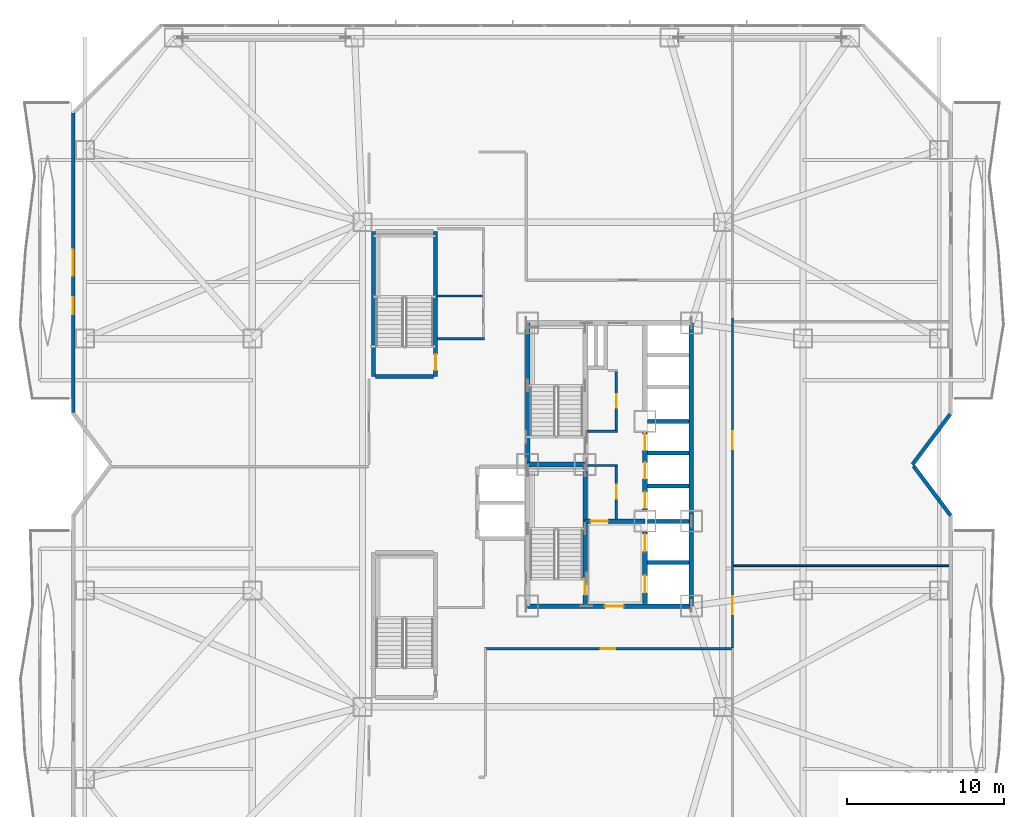
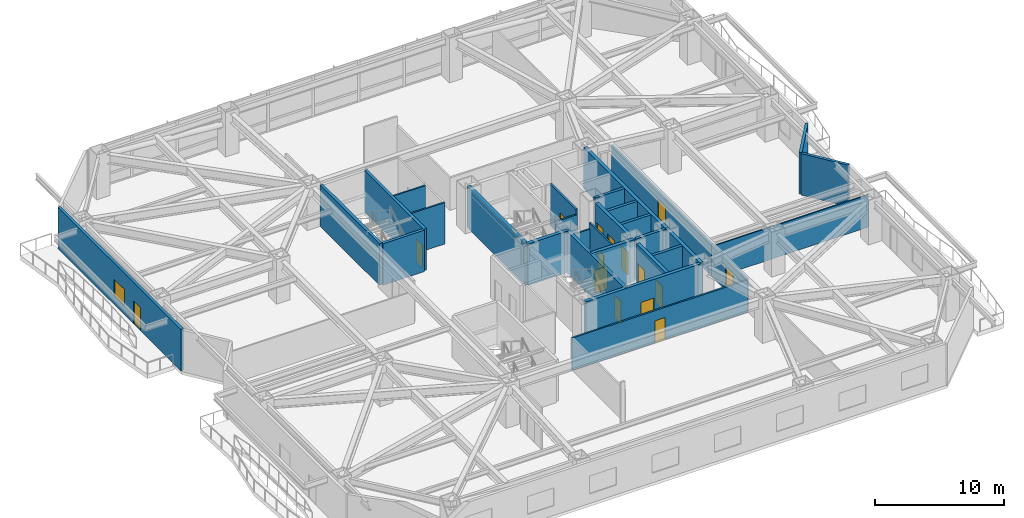
# One storey, part 17 of 25: 30 walls, 15 doors, 1 window, 16 openings.
"""IFC4 building model written with IfcOpenShell, lengths in metres."""

from ifc_helpers import new_model, si_unit, direction, frame, frame_2d, origin, place, context, subcontext, project, spatial, rectangle, extrude, material, layer, layer_set, type_object, element, fill, save


model = new_model("IFC4")

# Units and contexts
model_context = context("Model", 3, precision=1e-05, world=origin(), true_north=direction((0.0, 1.0)))
body_context = subcontext(model_context, "Body", "Model", "MODEL_VIEW")
ifc_project = project(units=[si_unit("LENGTHUNIT", "METRE"), si_unit("AREAUNIT", "SQUARE_METRE"), si_unit("VOLUMEUNIT", "CUBIC_METRE"), si_unit("PLANEANGLEUNIT", "RADIAN"), si_unit("MASSUNIT", "GRAM", prefix="KILO")], contexts=[model_context])

# Site, building, storey
site_placement = place(None, origin())
site = spatial("IfcSite", under=ifc_project, at=site_placement, CompositionType="ELEMENT")
building_placement = place(site_placement, origin())
building = spatial("IfcBuilding", under=site, at=building_placement, Name="Khamvora Tower", CompositionType="ELEMENT")
storey_placement = place(building_placement, frame((0.0, 0.0, 16.199951171875)))
storey = spatial("IfcBuildingStorey", under=building, at=storey_placement, Name="L03", CompositionType="ELEMENT", Elevation=16.199951171875)

# Wall
ifc_material_1 = material(Name="Concrete C50/60", Category="concrete")
ifc_layer_1 = layer(ifc_material_1, 0.300048828125)
ifc_layer_set_1 = layer_set([ifc_layer_1], Name="Concrete C50/60")
wall_type_1 = type_object("IfcWallType", Name="WAL-CORE-300", PredefinedType="SHEAR", material=ifc_layer_set_1)
wall_1_placement = place(storey_placement, frame((29.0, 28.0, 0.0), z_axis=(0.0, 0.0, 1.0), x_axis=(0.0, 1.0, 0.0)))
element("IfcWall", 1, at=wall_1_placement, inside=storey, type_object=wall_type_1, Name="L03 central core west north wall", PredefinedType="SHEAR", context=body_context, shape_type="SweptSolid", body=[
    extrude(rectangle(XDim=9.0, YDim=0.300048828125, at=frame_2d((4.5, 0.0))), origin(), (0.0, 0.0, 1.0), 3.920166015625),
])

# Wall, opening, door
wall_2_placement = place(storey_placement, frame((29.0, 19.0, 0.0), z_axis=(0.0, 0.0, 1.0), x_axis=(1.0, 0.0, 0.0)))
wall_2 = element("IfcWall", 2, at=wall_2_placement, inside=storey, type_object=wall_type_1, Name="L03 central core south wall", PredefinedType="SHEAR", context=body_context, shape_type="SweptSolid", body=[
    extrude(rectangle(XDim=10.39990234375, YDim=0.300048828125, at=frame_2d((5.199951171875, 0.0))), origin(), (0.0, 0.0, 1.0), 3.920166015625),
])
opening_1_placement = place(wall_2_placement, frame((4.89990234375, 0.0, 0.0)))
opening_1 = element("IfcOpeningElement", 3, at=opening_1_placement, cuts=wall_2, Name="Opening D-CR1", PredefinedType="OPENING", context=body_context, shape_type="SweptSolid", body=[
    extrude(rectangle(XDim=1.199951171875, YDim=2.14990234375, at=frame_2d((0.60009765625, 1.074951171875))), frame((0.0, 0.159912109375, 0.0), z_axis=(0.0, -1.0, 0.0), x_axis=(1.0, 0.0, 0.0)), (0.0, 0.0, 1.0), 0.320068359375),
])
ifc_material_2 = material(Name="Powder-Coated Steel and Hardwood Leaf", Category="steel")
door_type_1 = type_object("IfcDoorType", Name="DOR-CORR-1200", OperationType="NOTDEFINED", PredefinedType="DOOR", material=ifc_material_2)
door_1_placement = place(opening_1_placement, origin())
door_1 = element("IfcDoor", 4, at=door_1_placement, inside=storey, type_object=door_type_1, Name="L03 south core lobby to corridor fire door", OperationType="SINGLE_SWING_RIGHT", OverallHeight=2.14990234375, OverallWidth=1.199951171875, PredefinedType="DOOR", context=body_context, shape_type="SweptSolid", body=[
    extrude(rectangle(XDim=1.199951171875, YDim=2.14990234375, at=frame_2d((0.60009765625, 1.074951171875))), frame((0.0, 0.02490234375, 0.0), z_axis=(0.0, -1.0, 0.0), x_axis=(1.0, 0.0, 0.0)), (0.0, 0.0, 1.0), 0.050048828125),
])
fill(opening_1, door_1)

# Walls
wall_3_placement = place(storey_placement, frame((39.39990234375, 19.0, 0.0), z_axis=(0.0, 0.0, 1.0), x_axis=(0.0, 1.0, 0.0)))
element("IfcWall", 5, at=wall_3_placement, inside=storey, type_object=wall_type_1, Name="L03 central core east south wall", PredefinedType="SHEAR", context=body_context, shape_type="SweptSolid", body=[
    extrude(rectangle(XDim=5.39990234375, YDim=0.300048828125, at=frame_2d((2.699951171875, 0.0))), origin(), (0.0, 0.0, 1.0), 3.920166015625),
])
wall_4_placement = place(storey_placement, frame((39.39990234375, 24.39990234375, 0.0), z_axis=(0.0, 0.0, 1.0), x_axis=(0.0, 1.0, 0.0)))
element("IfcWall", 6, at=wall_4_placement, inside=storey, type_object=wall_type_1, Name="L03 central core east north wall", PredefinedType="SHEAR", context=body_context, shape_type="SweptSolid", body=[
    extrude(rectangle(XDim=12.60009765625, YDim=0.300048828125, at=frame_2d((6.300048828125, 0.0))), origin(), (0.0, 0.0, 1.0), 3.920166015625),
])

# Wall, opening, door
wall_5_placement = place(storey_placement, frame((32.64990234375, 19.0, 0.0), z_axis=(0.0, 0.0, 1.0), x_axis=(0.0, 1.0, 0.0)))
wall_5 = element("IfcWall", 7, at=wall_5_placement, inside=storey, type_object=wall_type_1, Name="L03 central core stair south spine wall", PredefinedType="SHEAR", context=body_context, shape_type="SweptSolid", body=[
    extrude(rectangle(XDim=9.0, YDim=0.300048828125, at=frame_2d((4.5, 0.0))), origin(), (0.0, 0.0, 1.0), 3.920166015625),
])
opening_2_placement = place(wall_5_placement, frame((0.719970703125, 0.0, 0.0)))
opening_2 = element("IfcOpeningElement", 8, at=opening_2_placement, cuts=wall_5, Name="Opening D-ST1", PredefinedType="OPENING", context=body_context, shape_type="SweptSolid", body=[
    extrude(rectangle(XDim=1.0, YDim=2.14990234375, at=frame_2d((0.5, 1.074951171875))), frame((0.0, 0.159912109375, 0.0), z_axis=(0.0, -1.0, 0.0), x_axis=(1.0, 0.0, 0.0)), (0.0, 0.0, 1.0), 0.320068359375),
])
door_type_2 = type_object("IfcDoorType", Name="DOR-STAIR-1000", OperationType="NOTDEFINED", PredefinedType="DOOR", material=ifc_material_2)
door_2_placement = place(opening_2_placement, origin())
door_2 = element("IfcDoor", 9, at=door_2_placement, inside=storey, type_object=door_type_2, Name="L03 exit stair ST-01 fire door", OperationType="SINGLE_SWING_RIGHT", OverallHeight=2.14990234375, OverallWidth=1.0, PredefinedType="DOOR", context=body_context, shape_type="SweptSolid", body=[
    extrude(rectangle(XDim=1.0, YDim=2.14990234375, at=frame_2d((0.5, 1.074951171875))), frame((0.0, 0.02490234375, 0.0), z_axis=(0.0, -1.0, 0.0), x_axis=(1.0, 0.0, 0.0)), (0.0, 0.0, 1.0), 0.050048828125),
])
fill(opening_2, door_2)

# Wall
wall_6_placement = place(storey_placement, frame((29.0, 28.0, 0.0), z_axis=(0.0, 0.0, 1.0), x_axis=(1.0, 0.0, 0.0)))
element("IfcWall", 10, at=wall_6_placement, inside=storey, type_object=wall_type_1, Name="L03 central core stair cross wall", PredefinedType="SHEAR", context=body_context, shape_type="SweptSolid", body=[
    extrude(rectangle(XDim=3.64990234375, YDim=0.300048828125, at=frame_2d((1.824951171875, 0.0))), origin(), (0.0, 0.0, 1.0), 3.920166015625),
])

# Wall, opening, door
wall_7_placement = place(storey_placement, frame((32.64990234375, 24.39990234375, 0.0), z_axis=(0.0, 0.0, 1.0), x_axis=(1.0, 0.0, 0.0)))
wall_7 = element("IfcWall", 11, at=wall_7_placement, inside=storey, type_object=wall_type_1, Name="L03 central core firefighting lobby north wall", PredefinedType="SHEAR", context=body_context, shape_type="SweptSolid", body=[
    extrude(rectangle(XDim=3.800048828125, YDim=0.300048828125, at=frame_2d((1.89990234375, 0.0))), origin(), (0.0, 0.0, 1.0), 3.920166015625),
])
opening_3_placement = place(wall_7_placement, frame((0.35009765625, 0.0, 0.0)))
opening_3 = element("IfcOpeningElement", 12, at=opening_3_placement, cuts=wall_7, Name="Opening D-FF1", PredefinedType="OPENING", context=body_context, shape_type="SweptSolid", body=[
    extrude(rectangle(XDim=1.10009765625, YDim=2.14990234375, at=frame_2d((0.550048828125, 1.074951171875))), frame((0.0, 0.159912109375, 0.0), z_axis=(0.0, -1.0, 0.0), x_axis=(1.0, 0.0, 0.0)), (0.0, 0.0, 1.0), 0.320068359375),
])
door_type_3 = type_object("IfcDoorType", Name="DOR-FFLOB-1100", OperationType="NOTDEFINED", PredefinedType="DOOR", material=ifc_material_2)
door_3_placement = place(opening_3_placement, origin())
door_3 = element("IfcDoor", 13, at=door_3_placement, inside=storey, type_object=door_type_3, Name="L03 firefighting lobby smoke-seal fire door", OperationType="SINGLE_SWING_LEFT", OverallHeight=2.14990234375, OverallWidth=1.10009765625, PredefinedType="DOOR", context=body_context, shape_type="SweptSolid", body=[
    extrude(rectangle(XDim=1.10009765625, YDim=2.14990234375, at=frame_2d((0.550048828125, 1.074951171875))), frame((0.0, 0.02490234375, 0.0), z_axis=(0.0, -1.0, 0.0), x_axis=(1.0, 0.0, 0.0)), (0.0, 0.0, 1.0), 0.050048828125),
])
fill(opening_3, door_3)

# Wall, openings, doors
wall_8_placement = place(storey_placement, frame((36.449951171875, 19.154052734375, 0.0), z_axis=(0.0, 0.0, 1.0), x_axis=(0.0, 1.0, 0.0)))
wall_8 = element("IfcWall", 14, at=wall_8_placement, inside=storey, type_object=wall_type_1, Name="L03 central core lift bank south wall", PredefinedType="SHEAR", context=body_context, shape_type="SweptSolid", body=[
    extrude(rectangle(XDim=4.5458984375, YDim=0.300048828125, at=frame_2d((2.27294921875, 0.0))), origin(), (0.0, 0.0, 1.0), 3.920166015625),
])
opening_4_placement = place(wall_8_placement, frame((0.696044921875, 0.0, 0.0)))
opening_4 = element("IfcOpeningElement", 15, at=opening_4_placement, cuts=wall_8, Name="Opening LD-FFL", PredefinedType="OPENING", context=body_context, shape_type="SweptSolid", body=[
    extrude(rectangle(XDim=1.10009765625, YDim=2.14990234375, at=frame_2d((0.550048828125, 1.074951171875))), frame((0.0, 0.159912109375, 0.0), z_axis=(0.0, -1.0, 0.0), x_axis=(1.0, 0.0, 0.0)), (0.0, 0.0, 1.0), 0.320068359375),
])
opening_5_placement = place(wall_8_placement, frame((3.31591796875, 0.0, 0.0)))
opening_5 = element("IfcOpeningElement", 16, at=opening_5_placement, cuts=wall_8, Name="Opening LD-FFL", PredefinedType="OPENING", context=body_context, shape_type="SweptSolid", body=[
    extrude(rectangle(XDim=1.10009765625, YDim=2.14990234375, at=frame_2d((0.550048828125, 1.074951171875))), frame((0.0, 0.159912109375, 0.0), z_axis=(0.0, -1.0, 0.0), x_axis=(1.0, 0.0, 0.0)), (0.0, 0.0, 1.0), 0.320068359375),
])
door_type_4 = type_object("IfcDoorType", Name="DOR-LIFT-1100", OperationType="SLIDING_TO_LEFT", PredefinedType="DOOR", material=ifc_material_2)
door_4_placement = place(opening_4_placement, origin())
door_4 = element("IfcDoor", 17, at=door_4_placement, inside=storey, type_object=door_type_4, Name="L03 lift landing sliding door FFL-01", OperationType="SLIDING_TO_LEFT", OverallHeight=2.14990234375, OverallWidth=1.10009765625, PredefinedType="DOOR", context=body_context, shape_type="SweptSolid", body=[
    extrude(rectangle(XDim=1.10009765625, YDim=2.14990234375, at=frame_2d((0.550048828125, 1.074951171875))), frame((0.0, 0.02490234375, 0.0), z_axis=(0.0, -1.0, 0.0), x_axis=(1.0, 0.0, 0.0)), (0.0, 0.0, 1.0), 0.050048828125),
])
fill(opening_4, door_4)
door_5_placement = place(opening_5_placement, origin())
door_5 = element("IfcDoor", 18, at=door_5_placement, inside=storey, type_object=door_type_4, Name="L03 lift landing sliding door FFL-02", OperationType="SLIDING_TO_LEFT", OverallHeight=2.14990234375, OverallWidth=1.10009765625, PredefinedType="DOOR", context=body_context, shape_type="SweptSolid", body=[
    extrude(rectangle(XDim=1.10009765625, YDim=2.14990234375, at=frame_2d((0.550048828125, 1.074951171875))), frame((0.0, 0.02490234375, 0.0), z_axis=(0.0, -1.0, 0.0), x_axis=(1.0, 0.0, 0.0)), (0.0, 0.0, 1.0), 0.050048828125),
])
fill(opening_5, door_5)

wall_9_placement = place(storey_placement, frame((36.449951171875, 25.10009765625, 0.0), z_axis=(0.0, 0.0, 1.0), x_axis=(0.0, 1.0, 0.0)))
wall_9 = element("IfcWall", 19, at=wall_9_placement, inside=storey, type_object=wall_type_1, Name="L03 central core lift bank central wall", PredefinedType="SHEAR", context=body_context, shape_type="SweptSolid", body=[
    extrude(rectangle(XDim=4.949951171875, YDim=0.300048828125, at=frame_2d((2.47509765625, 0.0))), origin(), (0.0, 0.0, 1.0), 3.920166015625),
])
opening_6_placement = place(wall_9_placement, frame((0.1201171875, 0.0, 0.0)))
opening_6 = element("IfcOpeningElement", 20, at=opening_6_placement, cuts=wall_9, Name="Opening LD-PL", PredefinedType="OPENING", context=body_context, shape_type="SweptSolid", body=[
    extrude(rectangle(XDim=1.050048828125, YDim=2.14990234375, at=frame_2d((0.52490234375, 1.074951171875))), frame((0.0, 0.159912109375, 0.0), z_axis=(0.0, -1.0, 0.0), x_axis=(1.0, 0.0, 0.0)), (0.0, 0.0, 1.0), 0.320068359375),
])
opening_7_placement = place(wall_9_placement, frame((1.9951171875, 0.0, 0.0)))
opening_7 = element("IfcOpeningElement", 21, at=opening_7_placement, cuts=wall_9, Name="Opening LD-PL", PredefinedType="OPENING", context=body_context, shape_type="SweptSolid", body=[
    extrude(rectangle(XDim=1.050048828125, YDim=2.14990234375, at=frame_2d((0.52490234375, 1.074951171875))), frame((0.0, 0.159912109375, 0.0), z_axis=(0.0, -1.0, 0.0), x_axis=(1.0, 0.0, 0.0)), (0.0, 0.0, 1.0), 0.320068359375),
])
opening_8_placement = place(wall_9_placement, frame((3.794921875, 0.0, 0.0)))
opening_8 = element("IfcOpeningElement", 22, at=opening_8_placement, cuts=wall_9, Name="Opening LD-PL", PredefinedType="OPENING", context=body_context, shape_type="SweptSolid", body=[
    extrude(rectangle(XDim=1.050048828125, YDim=2.14990234375, at=frame_2d((0.52490234375, 1.074951171875))), frame((0.0, 0.159912109375, 0.0), z_axis=(0.0, -1.0, 0.0), x_axis=(1.0, 0.0, 0.0)), (0.0, 0.0, 1.0), 0.320068359375),
])
door_type_5 = type_object("IfcDoorType", Name="DOR-LIFT-1050", OperationType="SLIDING_TO_LEFT", PredefinedType="DOOR", material=ifc_material_2)
door_6_placement = place(opening_6_placement, origin())
door_6 = element("IfcDoor", 23, at=door_6_placement, inside=storey, type_object=door_type_5, Name="L03 lift landing sliding door PL-01", OperationType="SLIDING_TO_LEFT", OverallHeight=2.14990234375, OverallWidth=1.050048828125, PredefinedType="DOOR", context=body_context, shape_type="SweptSolid", body=[
    extrude(rectangle(XDim=1.050048828125, YDim=2.14990234375, at=frame_2d((0.52490234375, 1.074951171875))), frame((0.0, 0.02490234375, 0.0), z_axis=(0.0, -1.0, 0.0), x_axis=(1.0, 0.0, 0.0)), (0.0, 0.0, 1.0), 0.050048828125),
])
fill(opening_6, door_6)
door_7_placement = place(opening_7_placement, origin())
door_7 = element("IfcDoor", 24, at=door_7_placement, inside=storey, type_object=door_type_5, Name="L03 lift landing sliding door PL-02", OperationType="SLIDING_TO_LEFT", OverallHeight=2.14990234375, OverallWidth=1.050048828125, PredefinedType="DOOR", context=body_context, shape_type="SweptSolid", body=[
    extrude(rectangle(XDim=1.050048828125, YDim=2.14990234375, at=frame_2d((0.52490234375, 1.074951171875))), frame((0.0, 0.02490234375, 0.0), z_axis=(0.0, -1.0, 0.0), x_axis=(1.0, 0.0, 0.0)), (0.0, 0.0, 1.0), 0.050048828125),
])
fill(opening_7, door_7)
door_8_placement = place(opening_8_placement, origin())
door_8 = element("IfcDoor", 25, at=door_8_placement, inside=storey, type_object=door_type_5, Name="L03 lift landing sliding door PL-03", OperationType="SLIDING_TO_LEFT", OverallHeight=2.14990234375, OverallWidth=1.050048828125, PredefinedType="DOOR", context=body_context, shape_type="SweptSolid", body=[
    extrude(rectangle(XDim=1.050048828125, YDim=2.14990234375, at=frame_2d((0.52490234375, 1.074951171875))), frame((0.0, 0.02490234375, 0.0), z_axis=(0.0, -1.0, 0.0), x_axis=(1.0, 0.0, 0.0)), (0.0, 0.0, 1.0), 0.050048828125),
])
fill(opening_8, door_8)

# Wall
ifc_material_3 = material(Name="Fire-Rated Drywall and Steel Stud", Category="steel")
ifc_layer_2 = layer(ifc_material_3, 0.14990234375)
ifc_layer_set_2 = layer_set([ifc_layer_2], Name="Fire-Rated Drywall and Steel Stud")
wall_type_2 = type_object("IfcWallType", Name="WAL-CORR-150", PredefinedType="STANDARD", material=ifc_layer_set_2)
wall_10_placement = place(storey_placement, frame((32.7939453125, 30.114990234375, 0.0), z_axis=(0.0, 0.0, 1.0), x_axis=(1.0, 0.0, 0.0)))
element("IfcWall", 26, at=wall_10_placement, inside=storey, type_object=wall_type_2, Name="L03 interior partition wall 001", PredefinedType="STANDARD", context=body_context, shape_type="SweptSolid", body=[
    extrude(rectangle(XDim=1.906005859375, YDim=0.14990234375, at=frame_2d((0.953125, 0.0))), origin(), (0.0, 0.0, 1.0), 3.376953125),
])

# Wall, opening, door
wall_11_placement = place(storey_placement, frame((34.635009765625, 30.052001953125, 0.0), z_axis=(0.0, 0.0, 1.0), x_axis=(0.0, 1.0, 0.0)))
wall_11 = element("IfcWall", 27, at=wall_11_placement, inside=storey, type_object=wall_type_2, Name="L03 interior partition wall 002", PredefinedType="STANDARD", context=body_context, shape_type="SweptSolid", body=[
    extrude(rectangle(XDim=3.988037109375, YDim=0.14990234375, at=frame_2d((1.994140625, 0.0))), origin(), (0.0, 0.0, 1.0), 3.920166015625),
])
opening_9_placement = place(wall_11_placement, frame((1.569091796875, 0.0, 0.0)))
opening_9 = element("IfcOpeningElement", 28, at=opening_9_placement, cuts=wall_11, Name="Opening D-WC1", PredefinedType="OPENING", context=body_context, shape_type="SweptSolid", body=[
    extrude(rectangle(XDim=0.85009765625, YDim=2.10009765625, at=frame_2d((0.425048828125, 1.050048828125))), frame((0.0, 0.0849609375, 0.0), z_axis=(0.0, -1.0, 0.0), x_axis=(1.0, 0.0, 0.0)), (0.0, 0.0, 1.0), 0.169921875),
])
door_type_6 = type_object("IfcDoorType", Name="DOR-WET-850", OperationType="NOTDEFINED", PredefinedType="DOOR", material=ifc_material_2)
door_9_placement = place(opening_9_placement, origin())
door_9 = element("IfcDoor", 29, at=door_9_placement, inside=storey, type_object=door_type_6, Name="L03 interior door PLL-CS1", OperationType="SINGLE_SWING_RIGHT", OverallHeight=2.10009765625, OverallWidth=0.85009765625, PredefinedType="DOOR", context=body_context, shape_type="SweptSolid", body=[
    extrude(rectangle(XDim=0.85009765625, YDim=2.10009765625, at=frame_2d((0.425048828125, 1.050048828125))), frame((0.0, 0.02490234375, 0.0), z_axis=(0.0, -1.0, 0.0), x_axis=(1.0, 0.0, 0.0)), (0.0, 0.0, 1.0), 0.050048828125),
])
fill(opening_9, door_9)

wall_12_placement = place(storey_placement, frame((34.635009765625, 24.5439453125, 0.0), z_axis=(0.0, 0.0, 1.0), x_axis=(0.0, 1.0, 0.0)))
wall_12 = element("IfcWall", 30, at=wall_12_placement, inside=storey, type_object=wall_type_2, Name="L03 interior partition wall 004", PredefinedType="STANDARD", context=body_context, shape_type="SweptSolid", body=[
    extrude(rectangle(XDim=3.4560546875, YDim=0.14990234375, at=frame_2d((1.72802734375, 0.0))), origin(), (0.0, 0.0, 1.0), 3.920166015625),
])
opening_10_placement = place(wall_12_placement, frame((1.278076171875, 0.0, 0.0)))
opening_10 = element("IfcOpeningElement", 31, at=opening_10_placement, cuts=wall_12, Name="Opening D-RM1", PredefinedType="OPENING", context=body_context, shape_type="SweptSolid", body=[
    extrude(rectangle(XDim=0.89990234375, YDim=2.10009765625, at=frame_2d((0.449951171875, 1.050048828125))), frame((0.0, 0.0849609375, 0.0), z_axis=(0.0, -1.0, 0.0), x_axis=(1.0, 0.0, 0.0)), (0.0, 0.0, 1.0), 0.169921875),
])
door_type_7 = type_object("IfcDoorType", Name="DOR-ROOM-900", OperationType="NOTDEFINED", PredefinedType="DOOR", material=ifc_material_2)
door_10_placement = place(opening_10_placement, origin())
door_10 = element("IfcDoor", 32, at=door_10_placement, inside=storey, type_object=door_type_7, Name="L03 interior door PLL-CS2", OperationType="SINGLE_SWING_LEFT", OverallHeight=2.10009765625, OverallWidth=0.89990234375, PredefinedType="DOOR", context=body_context, shape_type="SweptSolid", body=[
    extrude(rectangle(XDim=0.89990234375, YDim=2.10009765625, at=frame_2d((0.449951171875, 1.050048828125))), frame((0.0, 0.02490234375, 0.0), z_axis=(0.0, -1.0, 0.0), x_axis=(1.0, 0.0, 0.0)), (0.0, 0.0, 1.0), 0.050048828125),
])
fill(opening_10, door_10)

# Walls
wall_13_placement = place(storey_placement, frame((34.699951171875, 27.93505859375, 0.0), z_axis=(0.0, 0.0, 1.0), x_axis=(-1.0, 0.0, 0.0)))
element("IfcWall", 33, at=wall_13_placement, inside=storey, type_object=wall_type_2, Name="L03 interior partition wall 005", PredefinedType="STANDARD", context=body_context, shape_type="SweptSolid", body=[
    extrude(rectangle(XDim=1.906005859375, YDim=0.14990234375, at=frame_2d((0.953125, 0.0))), origin(), (0.0, 0.0, 1.0), 3.376953125),
])
wall_14_placement = place(storey_placement, frame((23.26708984375, 35.985107421875, 0.0), z_axis=(0.0, 0.0, 1.0), x_axis=(1.0, 0.0, 0.0)))
element("IfcWall", 34, at=wall_14_placement, inside=storey, type_object=wall_type_2, Name="L03 interior partition wall 008", PredefinedType="STANDARD", context=body_context, shape_type="SweptSolid", body=[
    extrude(rectangle(XDim=2.98291015625, YDim=0.14990234375, at=frame_2d((1.491455078125, 0.0))), origin(), (0.0, 0.0, 1.0), 3.920166015625),
])

# Wall, opening, door
wall_15_placement = place(storey_placement, frame((42.014892578125, 21.81396484375, 0.0), z_axis=(0.0, 0.0, 1.0), x_axis=(0.0, -1.0, 0.0)))
wall_15 = element("IfcWall", 35, at=wall_15_placement, inside=storey, type_object=wall_type_2, Name="L03 interior partition wall 015", PredefinedType="STANDARD", context=body_context, shape_type="SweptSolid", body=[
    extrude(rectangle(XDim=5.4638671875, YDim=0.14990234375, at=frame_2d((2.73193359375, 0.0))), origin(), (0.0, 0.0, 1.0), 3.054931640625),
])
opening_11_placement = place(wall_15_placement, frame((2.177978515625, 0.0, 0.0)))
opening_11 = element("IfcOpeningElement", 36, at=opening_11_placement, cuts=wall_15, Name="Opening D-SC1", PredefinedType="OPENING", context=body_context, shape_type="SweptSolid", body=[
    extrude(rectangle(XDim=1.14990234375, YDim=2.199951171875, at=frame_2d((0.574951171875, 1.10009765625))), frame((0.0, 0.0849609375, 0.0), z_axis=(0.0, -1.0, 0.0), x_axis=(1.0, 0.0, 0.0)), (0.0, 0.0, 1.0), 0.169921875),
])
door_type_8 = type_object("IfcDoorType", Name="DOR-SCHL-1150", OperationType="NOTDEFINED", PredefinedType="DOOR", material=ifc_material_2)
door_11_placement = place(opening_11_placement, origin())
door_11 = element("IfcDoor", 37, at=door_11_placement, inside=storey, type_object=door_type_8, Name="L03 interior door SCOR-CL1", OperationType="SINGLE_SWING_LEFT", OverallHeight=2.199951171875, OverallWidth=1.14990234375, PredefinedType="DOOR", context=body_context, shape_type="SweptSolid", body=[
    extrude(rectangle(XDim=1.14990234375, YDim=2.199951171875, at=frame_2d((0.574951171875, 1.10009765625))), frame((0.0, 0.02490234375, 0.0), z_axis=(0.0, -1.0, 0.0), x_axis=(1.0, 0.0, 0.0)), (0.0, 0.0, 1.0), 0.050048828125),
])
fill(opening_11, door_11)

wall_16_placement = place(storey_placement, frame((42.014892578125, 37.31396484375, 0.0), z_axis=(0.0, 0.0, 1.0), x_axis=(0.0, -1.0, 0.0)))
wall_16 = element("IfcWall", 38, at=wall_16_placement, inside=storey, type_object=wall_type_2, Name="L03 interior partition wall 016", PredefinedType="STANDARD", context=body_context, shape_type="SweptSolid", body=[
    extrude(rectangle(XDim=15.5, YDim=0.14990234375, at=frame_2d((7.75, 0.0))), origin(), (0.0, 0.0, 1.0), 3.054931640625),
])
opening_12_placement = place(wall_16_placement, frame((7.196044921875, 0.0, 0.0)))
opening_12 = element("IfcOpeningElement", 39, at=opening_12_placement, cuts=wall_16, Name="Opening D-SC1", PredefinedType="OPENING", context=body_context, shape_type="SweptSolid", body=[
    extrude(rectangle(XDim=1.14990234375, YDim=2.199951171875, at=frame_2d((0.574951171875, 1.10009765625))), frame((0.0, 0.0849609375, 0.0), z_axis=(0.0, -1.0, 0.0), x_axis=(1.0, 0.0, 0.0)), (0.0, 0.0, 1.0), 0.169921875),
])
door_12_placement = place(opening_12_placement, origin())
door_12 = element("IfcDoor", 40, at=door_12_placement, inside=storey, type_object=door_type_8, Name="L03 interior door SCOR-CL2", OperationType="SINGLE_SWING_RIGHT", OverallHeight=2.199951171875, OverallWidth=1.14990234375, PredefinedType="DOOR", context=body_context, shape_type="SweptSolid", body=[
    extrude(rectangle(XDim=1.14990234375, YDim=2.199951171875, at=frame_2d((0.574951171875, 1.10009765625))), frame((0.0, 0.02490234375, 0.0), z_axis=(0.0, -1.0, 0.0), x_axis=(1.0, 0.0, 0.0)), (0.0, 0.0, 1.0), 0.050048828125),
])
fill(opening_12, door_12)

wall_17_placement = place(storey_placement, frame((41.949951171875, 16.284912109375, 0.0), z_axis=(0.0, 0.0, 1.0), x_axis=(-1.0, 0.0, 0.0)))
wall_17 = element("IfcWall", 41, at=wall_17_placement, inside=storey, type_object=wall_type_2, Name="L03 interior partition wall 018", PredefinedType="STANDARD", context=body_context, shape_type="SweptSolid", body=[
    extrude(rectangle(XDim=15.699951171875, YDim=0.14990234375, at=frame_2d((7.85009765625, 0.0))), origin(), (0.0, 0.0, 1.0), 3.054931640625),
])
opening_13_placement = place(wall_17_placement, frame((7.39990234375, 0.0, 0.0)))
opening_13 = element("IfcOpeningElement", 42, at=opening_13_placement, cuts=wall_17, Name="Opening D-RM1", PredefinedType="OPENING", context=body_context, shape_type="SweptSolid", body=[
    extrude(rectangle(XDim=0.89990234375, YDim=2.10009765625, at=frame_2d((0.449951171875, 1.050048828125))), frame((0.0, 0.0849609375, 0.0), z_axis=(0.0, -1.0, 0.0), x_axis=(1.0, 0.0, 0.0)), (0.0, 0.0, 1.0), 0.169921875),
])
door_13_placement = place(opening_13_placement, origin())
door_13 = element("IfcDoor", 43, at=door_13_placement, inside=storey, type_object=door_type_7, Name="L03 interior door SCOR-PRP", OperationType="SINGLE_SWING_RIGHT", OverallHeight=2.10009765625, OverallWidth=0.89990234375, PredefinedType="DOOR", context=body_context, shape_type="SweptSolid", body=[
    extrude(rectangle(XDim=0.89990234375, YDim=2.10009765625, at=frame_2d((0.449951171875, 1.050048828125))), frame((0.0, 0.02490234375, 0.0), z_axis=(0.0, -1.0, 0.0), x_axis=(1.0, 0.0, 0.0)), (0.0, 0.0, 1.0), 0.050048828125),
])
fill(opening_13, door_13)

# Wall, openings, door, window
ifc_material_4 = material(Name="Precast concrete C40/50", Category="concrete")
ifc_layer_3 = layer(ifc_material_4, 0.239990234375)
ifc_layer_set_3 = layer_set([ifc_layer_3], Name="Precast concrete C40/50")
wall_type_3 = type_object("IfcWallType", Name="WAL-EXT-240", PredefinedType="STANDARD", material=ifc_layer_set_3)
wall_18_placement = place(storey_placement, frame((0.1201171875, 31.303955078125, 0.0), z_axis=(0.0, 0.0, 1.0), x_axis=(0.0, 1.0, 0.0)))
wall_18 = element("IfcWall", 44, at=wall_18_placement, inside=storey, type_object=wall_type_3, Name="L03 exterior facade wall 05.1", PredefinedType="STANDARD", context=body_context, shape_type="SweptSolid", body=[
    extrude(rectangle(XDim=19.046142578125, YDim=0.239990234375, at=frame_2d((9.52294921875, 0.0))), origin(), (0.0, 0.0, 1.0), 3.920166015625),
])
opening_14_placement = place(wall_18_placement, frame((6.235107421875, 0.0, 0.0)))
opening_14 = element("IfcOpeningElement", 45, at=opening_14_placement, cuts=wall_18, Name="Opening BD-01", PredefinedType="OPENING", context=body_context, shape_type="SweptSolid", body=[
    extrude(rectangle(XDim=1.10009765625, YDim=2.199951171875, at=frame_2d((0.550048828125, 1.10009765625))), frame((0.0, 0.1298828125, 0.0), z_axis=(0.0, -1.0, 0.0), x_axis=(1.0, 0.0, 0.0)), (0.0, 0.0, 1.0), 0.260009765625),
])
opening_15_placement = place(wall_18_placement, frame((8.697998046875, 0.0, 0.85009765625)))
opening_15 = element("IfcOpeningElement", 46, at=opening_15_placement, cuts=wall_18, Name="Opening WN-06", PredefinedType="OPENING", context=body_context, shape_type="SweptSolid", body=[
    extrude(rectangle(XDim=1.64990234375, YDim=1.550048828125, at=frame_2d((0.824951171875, 0.77490234375))), frame((0.0, 0.1298828125, 0.0), z_axis=(0.0, -1.0, 0.0), x_axis=(1.0, 0.0, 0.0)), (0.0, 0.0, 1.0), 0.260009765625),
])
ifc_material_5 = material(Name="Anodised Aluminium and Laminated Safety Glass", Category="aluminium")
door_type_9 = type_object("IfcDoorType", Name="DOR-BAL-1100", OperationType="NOTDEFINED", PredefinedType="DOOR", material=ifc_material_5)
door_14_placement = place(opening_14_placement, origin())
door_14 = element("IfcDoor", 47, at=door_14_placement, inside=storey, type_object=door_type_9, Name="L03 lens gallery balcony door WL2", OperationType="SLIDING_TO_LEFT", OverallHeight=2.199951171875, OverallWidth=1.10009765625, PredefinedType="DOOR", context=body_context, shape_type="SweptSolid", body=[
    extrude(rectangle(XDim=1.10009765625, YDim=2.199951171875, at=frame_2d((0.550048828125, 1.10009765625))), frame((0.0, 0.02490234375, 0.0), z_axis=(0.0, -1.0, 0.0), x_axis=(1.0, 0.0, 0.0)), (0.0, 0.0, 1.0), 0.050048828125),
])
fill(opening_14, door_14)
ifc_material_6 = material(Name="Low-E Laminated Double Glazing", Category="glass")
window_type = type_object("IfcWindowType", Name="WIN-VIS-1650x1550", PartitioningType="SINGLE_PANEL", PredefinedType="WINDOW", material=ifc_material_6)
window_placement = place(opening_15_placement, origin())
window = element("IfcWindow", 48, at=window_placement, inside=storey, type_object=window_type, Name="L03 vision window 05.1.01", OverallHeight=1.550048828125, OverallWidth=1.64990234375, PartitioningType="SINGLE_PANEL", PredefinedType="WINDOW", context=body_context, shape_type="SweptSolid", body=[
    extrude(rectangle(XDim=1.64990234375, YDim=1.550048828125, at=frame_2d((0.824951171875, 0.77490234375))), frame((0.0, 0.030029296875, 0.0), z_axis=(0.0, -1.0, 0.0), x_axis=(1.0, 0.0, 0.0)), (0.0, 0.0, 1.0), 0.06005859375),
])
fill(opening_15, window)

# Walls
wall_19_placement = place(storey_placement, frame((55.842041015625, 31.18896484375, 0.0), z_axis=(0.0, 0.0, 1.0), x_axis=(-0.600058791648, -0.799955902889, 0.0)))
element("IfcWall", 49, at=wall_19_placement, inside=storey, type_object=wall_type_3, Name="L03 exterior facade wall 10.1", PredefinedType="STANDARD", context=body_context, shape_type="SweptSolid", body=[
    extrude(rectangle(XDim=3.986328125, YDim=0.239990234375, at=frame_2d((1.9931640625, 0.0))), origin(), (0.0, 0.0, 1.0), 3.920166015625),
])
wall_20_placement = place(storey_placement, frame((53.512939453125, 27.916015625, 0.0), z_axis=(0.0, 0.0, 1.0), x_axis=(0.599990098106, -0.800007426325, 0.0)))
element("IfcWall", 50, at=wall_20_placement, inside=storey, type_object=wall_type_3, Name="L03 exterior facade wall 11.1", PredefinedType="STANDARD", context=body_context, shape_type="SweptSolid", body=[
    extrude(rectangle(XDim=3.945068359375, YDim=0.239990234375, at=frame_2d((1.97265625, 0.0))), origin(), (0.0, 0.0, 1.0), 3.920166015625),
])
ifc_material_7 = material(Name="Gypsum Plasterboard Partition", Category="gypsum")
ifc_layer_4 = layer(ifc_material_7, 0.1201171875)
ifc_layer_set_4 = layer_set([ifc_layer_4], Name="Gypsum Plasterboard Partition")
wall_type_4 = type_object("IfcWallType", Name="WAL-PART-120", PredefinedType="PARTITIONING", material=ifc_layer_set_4)
wall_21_placement = place(storey_placement, frame((42.08203125, 21.56494140625, 0.0), z_axis=(0.0, 0.0, 1.0), x_axis=(1.0, 0.0, 0.0)))
element("IfcWall", 51, at=wall_21_placement, inside=storey, type_object=wall_type_4, Name="L03 interior partition wall 026", PredefinedType="PARTITIONING", context=body_context, shape_type="SweptSolid", body=[
    extrude(rectangle(XDim=13.68603515625, YDim=0.1201171875, at=frame_2d((6.843017578125, 0.0))), origin(), (0.0, 0.0, 1.0), 3.054931640625),
])
ifc_material_8 = material(Name="Concrete C40/50", Category="concrete")
ifc_layer_5 = layer(ifc_material_8, 0.25)
ifc_layer_set_5 = layer_set([ifc_layer_5], Name="Concrete C40/50")
wall_type_5 = type_object("IfcWallType", Name="WAL-PODS-250", PredefinedType="SHEAR", material=ifc_layer_set_5)
for number, where, z_axis, x_axis, name in (
    (52, (36.60400390625, 21.77490234375, 0.0), (0.0, 0.0, 1.0), (1.0, 0.0, 0.0), "L03 lift shaft divider wall FFL-01"),
    (53, (36.60400390625, 24.375, 0.0), (0.0, 0.0, 1.0), (1.0, 0.0, 0.0), "L03 lift shaft divider wall FFL-02"),
    (54, (36.60400390625, 26.625, 0.0), (0.0, 0.0, 1.0), (1.0, 0.0, 0.0), "L03 lift shaft divider wall PL-01"),
    (55, (36.60400390625, 28.72509765625, 0.0), (0.0, 0.0, 1.0), (1.0, 0.0, 0.0), "L03 lift shaft divider wall PL-02"),
    (56, (36.60400390625, 30.72509765625, 0.0), (0.0, 0.0, 1.0), (1.0, 0.0, 0.0), "L03 lift shaft divider wall PL-03"),
):
    element("IfcWall", number, at=place(storey_placement, frame(where, z_axis=z_axis, x_axis=x_axis)), inside=storey, type_object=wall_type_5, Name=name, PredefinedType="SHEAR", context=body_context, shape_type="SweptSolid", body=[
        extrude(rectangle(XDim=2.64208984375, YDim=0.25, at=frame_2d((1.321044921875, 0.0))), origin(), (0.0, 0.0, 1.0), 3.920166015625),
    ])
wall_22_placement = place(storey_placement, frame((19.199951171875, 33.60009765625, 0.0), z_axis=(0.0, 0.0, 1.0), x_axis=(0.0, 1.0, 0.0)))
element("IfcWall", 57, at=wall_22_placement, inside=storey, type_object=wall_type_5, Name="L03 podium stair core wall st4 w", PredefinedType="SHEAR", context=body_context, shape_type="SweptSolid", body=[
    extrude(rectangle(XDim=9.199951171875, YDim=0.25, at=frame_2d((4.60009765625, 0.0))), origin(), (0.0, 0.0, 1.0), 3.920166015625),
])

# Wall, opening, door
wall_23_placement = place(storey_placement, frame((23.14990234375, 33.60009765625, 0.0), z_axis=(0.0, 0.0, 1.0), x_axis=(0.0, 1.0, 0.0)))
wall_23 = element("IfcWall", 58, at=wall_23_placement, inside=storey, type_object=wall_type_5, Name="L03 podium stair core wall st4 e", PredefinedType="SHEAR", context=body_context, shape_type="SweptSolid", body=[
    extrude(rectangle(XDim=9.199951171875, YDim=0.25, at=frame_2d((4.60009765625, 0.0))), origin(), (0.0, 0.0, 1.0), 3.920166015625),
])
opening_16_placement = place(wall_23_placement, frame((0.39990234375, 0.0, 0.0)))
opening_16 = element("IfcOpeningElement", 59, at=opening_16_placement, cuts=wall_23, Name="Opening D-ST1", PredefinedType="OPENING", context=body_context, shape_type="SweptSolid", body=[
    extrude(rectangle(XDim=1.0, YDim=2.14990234375, at=frame_2d((0.5, 1.074951171875))), frame((0.0, 0.135009765625, 0.0), z_axis=(0.0, -1.0, 0.0), x_axis=(1.0, 0.0, 0.0)), (0.0, 0.0, 1.0), 0.27001953125),
])
door_15_placement = place(opening_16_placement, origin())
door_15 = element("IfcDoor", 60, at=door_15_placement, inside=storey, type_object=door_type_2, Name="L03 podium stair ST4 enclosure door", OperationType="SINGLE_SWING_LEFT", OverallHeight=2.14990234375, OverallWidth=1.0, PredefinedType="DOOR", context=body_context, shape_type="SweptSolid", body=[
    extrude(rectangle(XDim=1.0, YDim=2.14990234375, at=frame_2d((0.5, 1.074951171875))), frame((0.0, 0.02490234375, 0.0), z_axis=(0.0, -1.0, 0.0), x_axis=(1.0, 0.0, 0.0)), (0.0, 0.0, 1.0), 0.050048828125),
])
fill(opening_16, door_15)

# Walls
wall_24_placement = place(storey_placement, frame((19.3291015625, 33.60009765625, 0.0), z_axis=(0.0, 0.0, 1.0), x_axis=(1.0, 0.0, 0.0)))
element("IfcWall", 61, at=wall_24_placement, inside=storey, type_object=wall_type_5, Name="L03 podium stair core wall st4 s", PredefinedType="SHEAR", context=body_context, shape_type="SweptSolid", body=[
    extrude(rectangle(XDim=3.69189453125, YDim=0.25, at=frame_2d((1.845947265625, 0.0))), origin(), (0.0, 0.0, 1.0), 3.920166015625),
])
ifc_material_9 = material(Name="Moisture-Resistant Plasterboard Partition", Category="gypsum")
ifc_layer_6 = layer(ifc_material_9, 0.135009765625)
ifc_layer_set_6 = layer_set([ifc_layer_6], Name="Moisture-Resistant Plasterboard Partition")
wall_type_6 = type_object("IfcWallType", Name="WAL-WET-135", PredefinedType="PARTITIONING", material=ifc_layer_set_6)
wall_25_placement = place(storey_placement, frame((23.26708984375, 38.715087890625, 0.0), z_axis=(0.0, 0.0, 1.0), x_axis=(1.0, 0.0, 0.0)))
element("IfcWall", 62, at=wall_25_placement, inside=storey, type_object=wall_type_6, Name="L03 interior partition wall 024", PredefinedType="PARTITIONING", context=body_context, shape_type="SweptSolid", body=[
    extrude(rectangle(XDim=2.850830078125, YDim=0.135009765625, at=frame_2d((1.42529296875, 0.0))), origin(), (0.0, 0.0, 1.0), 3.920166015625),
])

save(model, "model.ifc")
